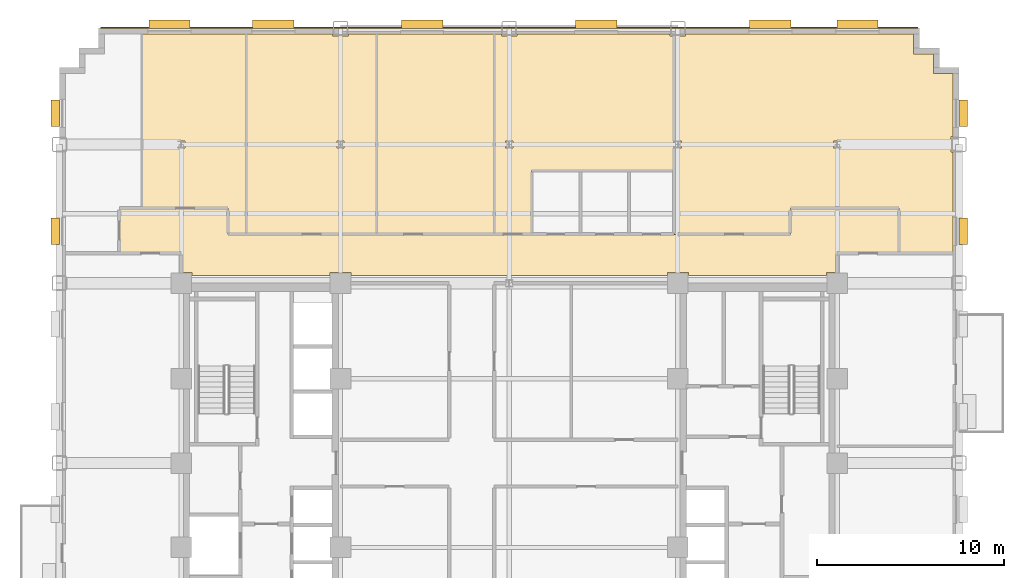
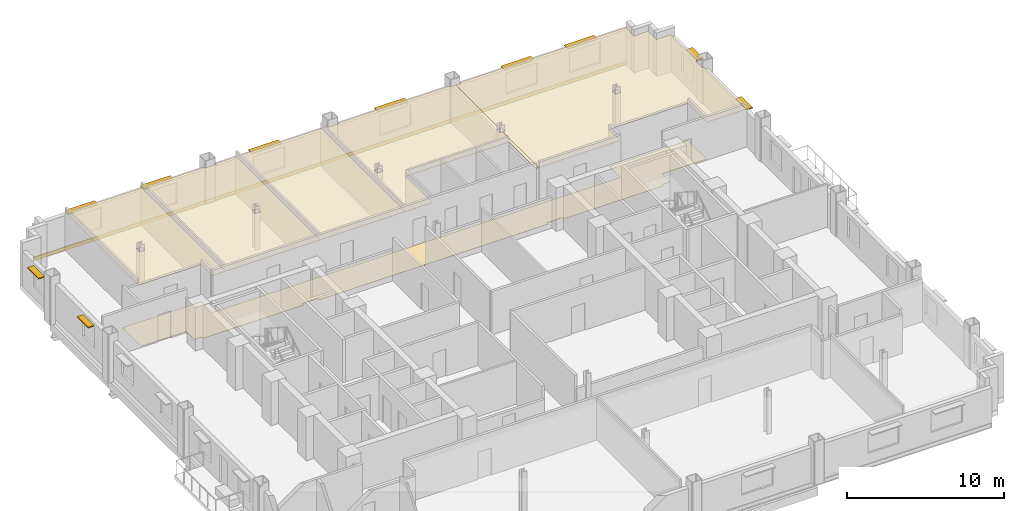
# One storey, part 15 of 15: 10 shading devices, 7 coverings.
"""IFC4 building model written with IfcOpenShell, lengths in metres."""

from ifc_helpers import new_model, si_unit, direction, frame, origin, origin_2d, place, context, subcontext, project, spatial, polyline, rectangle, outline, extrude, source, transform, mapped, material, layer, layer_set, type_object, type_shapes, element, save


model = new_model("IFC4")

# Units and contexts
model_context = context("Model", 3, precision=1e-05, world=origin(), true_north=direction((0.0, 1.0)))
body_context = subcontext(model_context, "Body", "Model", "MODEL_VIEW")
ifc_project = project(units=[si_unit("LENGTHUNIT", "METRE"), si_unit("AREAUNIT", "SQUARE_METRE"), si_unit("VOLUMEUNIT", "CUBIC_METRE"), si_unit("PLANEANGLEUNIT", "RADIAN"), si_unit("MASSUNIT", "GRAM", prefix="KILO")], contexts=[model_context])

# Site, building, storey
site_placement = place(None, origin())
site = spatial("IfcSite", under=ifc_project, at=site_placement, CompositionType="ELEMENT")
building_placement = place(site_placement, origin())
building = spatial("IfcBuilding", under=site, at=building_placement, Name="Nuvemarco Arch Tower", CompositionType="ELEMENT")
storey_placement = place(building_placement, frame((0.0, 0.0, 86.0)))
storey = spatial("IfcBuildingStorey", under=building, at=storey_placement, Name="L22", CompositionType="ELEMENT", Elevation=86.0)

# Coverings
ifc_material_1 = material(Name="Mineral acoustic ceiling tile")
ifc_layer_1 = layer(ifc_material_1, 0.0400390625, Name="COV-ACOUSTIC-CLG")
ifc_layer_set_1 = layer_set([ifc_layer_1], Name="Mineral acoustic ceiling tile")
covering_type_1 = type_object("IfcCoveringType", Name="COV-ACOUSTIC-CLG", PredefinedType="CEILING", material=ifc_layer_set_1)
covering_1_placement = place(storey_placement, frame((0.0, 0.0, 2.85009765625)))
element("IfcCovering", 1, at=covering_1_placement, inside=storey, type_object=covering_type_1, Name="L22 suspended acoustic ceiling 3", PredefinedType="CEILING", context=body_context, shape_type="SweptSolid", body=[
    extrude(outline(polyline([(23.679931640625, 20.780029296875), (23.679931640625, 17.4150390625), (23.5849609375, 17.4150390625), (23.5849609375, 16.5849609375), (23.679931640625, 16.5849609375), (23.679931640625, 11.199951171875), (20.800048828125, 11.199951171875), (20.800048828125, 13.60009765625), (15.0, 13.60009765625), (15.0, 12.199951171875), (9.0, 12.199951171875), (9.0, 16.804931640625), (9.195068359375, 16.804931640625), (9.195068359375, 17.195068359375), (9.0, 17.195068359375), (9.0, 22.784912109375), (9.4150390625, 22.784912109375), (9.4150390625, 22.8798828125), (21.580078125, 22.8798828125), (21.580078125, 21.830078125), (22.6298828125, 21.830078125), (22.6298828125, 20.780029296875), (23.679931640625, 20.780029296875)]), holes=[polyline([(17.695068359375, 16.804931640625), (17.695068359375, 17.195068359375), (17.304931640625, 17.195068359375), (17.304931640625, 16.804931640625), (17.695068359375, 16.804931640625)])]), origin(), (0.0, 0.0, 1.0), 0.039794921875),
])
covering_2_placement = place(storey_placement, frame((0.0, 0.0, 2.85009765625)))
element("IfcCovering", 2, at=covering_2_placement, inside=storey, type_object=covering_type_1, Name="L22 suspended acoustic ceiling 5", PredefinedType="CEILING", context=body_context, shape_type="SweptSolid", body=[
    extrude(outline(polyline([(1.199951171875, 15.60009765625), (1.199951171875, 12.199951171875), (-0.800048828125, 12.199951171875), (-0.800048828125, 22.8798828125), (-0.4150390625, 22.8798828125), (-0.4150390625, 22.784912109375), (0.4150390625, 22.784912109375), (0.4150390625, 22.8798828125), (8.5849609375, 22.8798828125), (8.5849609375, 22.784912109375), (9.0, 22.784912109375), (9.0, 17.195068359375), (8.804931640625, 17.195068359375), (8.804931640625, 16.804931640625), (9.0, 16.804931640625), (9.0, 12.199951171875), (8.800048828125, 12.199951171875), (8.800048828125, 15.60009765625), (6.39990234375, 15.60009765625), (3.800048828125, 15.60009765625), (1.199951171875, 15.60009765625)]), holes=[polyline([(0.195068359375, 16.804931640625), (0.195068359375, 17.195068359375), (-0.195068359375, 17.195068359375), (-0.195068359375, 16.804931640625), (0.195068359375, 16.804931640625)])]), origin(), (0.0, 0.0, 1.0), 0.039794921875),
])
covering_3_placement = place(storey_placement, frame((0.0, 0.0, 2.85009765625)))
element("IfcCovering", 3, at=covering_3_placement, inside=storey, type_object=covering_type_1, Name="L22 suspended acoustic ceiling 6", PredefinedType="CEILING", context=body_context, shape_type="SweptSolid", body=[
    extrude(outline(polyline([(-7.06005859375, 12.199951171875), (-14.02001953125, 12.199951171875), (-14.02001953125, 22.8798828125), (-9.4150390625, 22.8798828125), (-9.4150390625, 22.784912109375), (-8.5849609375, 22.784912109375), (-8.5849609375, 22.8798828125), (-7.06005859375, 22.8798828125), (-7.06005859375, 12.199951171875)]), holes=[polyline([(-8.804931640625, 16.804931640625), (-8.804931640625, 17.195068359375), (-9.195068359375, 17.195068359375), (-9.195068359375, 16.804931640625), (-8.804931640625, 16.804931640625)])]), origin(), (0.0, 0.0, 1.0), 0.039794921875),
])
covering_4_placement = place(storey_placement, frame((0.0, 0.0, 2.85009765625)))
element("IfcCovering", 4, at=covering_4_placement, inside=storey, type_object=covering_type_1, Name="L22 suspended acoustic ceiling 8", PredefinedType="CEILING", context=body_context, shape_type="SweptSolid", body=[
    extrude(outline(polyline([(-0.800048828125, 12.199951171875), (-3.199951171875, 12.199951171875), (-7.06005859375, 12.199951171875), (-7.06005859375, 22.8798828125), (-0.800048828125, 22.8798828125), (-0.800048828125, 12.199951171875)])), origin(), (0.0, 0.0, 1.0), 0.039794921875),
])
covering_5_placement = place(storey_placement, frame((0.0, 0.0, 2.85009765625)))
element("IfcCovering", 5, at=covering_5_placement, inside=storey, type_object=covering_type_1, Name="L22 suspended acoustic ceiling 9", PredefinedType="CEILING", context=body_context, shape_type="SweptSolid", body=[
    extrude(outline(polyline([(-14.02001953125, 22.8798828125), (-14.02001953125, 12.199951171875), (-15.0, 12.199951171875), (-15.0, 13.60009765625), (-19.590087890625, 13.60009765625), (-19.590087890625, 22.8798828125), (-14.02001953125, 22.8798828125)]), holes=[polyline([(-17.304931640625, 16.804931640625), (-17.304931640625, 17.195068359375), (-17.695068359375, 17.195068359375), (-17.695068359375, 16.804931640625), (-17.304931640625, 16.804931640625)])]), origin(), (0.0, 0.0, 1.0), 0.039794921875),
])
ifc_material_2 = material(Name="Polished granite terrazzostone flooring", Category="masonry")
ifc_layer_2 = layer(ifc_material_2, 0.02001953125, Name="COV-LOBBY-FLR")
ifc_layer_set_2 = layer_set([ifc_layer_2], Name="Polished granite terrazzostone flooring")
covering_type_2 = type_object("IfcCoveringType", Name="COV-LOBBY-FLR", PredefinedType="FLOORING", material=ifc_layer_set_2)
covering_6_placement = place(storey_placement, origin())
element("IfcCovering", 6, at=covering_6_placement, inside=storey, type_object=covering_type_2, Name="L22 polished terrazzo lobby flooring", PredefinedType="FLOORING", context=body_context, shape_type="SweptSolid", body=[
    extrude(outline(polyline([(-8.43505859375, 10.1650390625), (-9.56494140625, 10.1650390625), (-9.56494140625, 10.0), (-16.93505859375, 10.0), (-16.93505859375, 10.1650390625), (-17.5, 10.1650390625), (-17.5, 11.199951171875), (-20.800048828125, 11.199951171875), (-20.800048828125, 13.60009765625), (-15.0, 13.60009765625), (-15.0, 12.199951171875), (-3.199951171875, 12.199951171875), (-0.800048828125, 12.199951171875), (15.0, 12.199951171875), (15.0, 13.60009765625), (20.800048828125, 13.60009765625), (20.800048828125, 11.199951171875), (17.5, 11.199951171875), (17.5, 10.1650390625), (16.93505859375, 10.1650390625), (16.93505859375, 10.0), (9.56494140625, 10.0), (9.56494140625, 10.1650390625), (8.43505859375, 10.1650390625), (8.43505859375, 10.0), (-8.43505859375, 10.0), (-8.43505859375, 10.1650390625)])), origin(), (0.0, 0.0, 1.0), 0.02001953125),
])

# Shading devices
ifc_material_3 = material(Name="Anodised aluminium 6063-T6", Category="aluminium")
shading_device_type_1 = type_object("IfcShadingDeviceType", Name="SHD-BRISE-SOLEIL", PredefinedType="USERDEFINED", material=ifc_material_3)
shared_shape_1 = source(origin(), body_context, "Body", "SweptSolid", [
    extrude(rectangle(XDim=2.199951171875, YDim=0.449951171875, at=origin_2d()), origin(), (0.0, 0.0, 1.0), 0.080078125),
])
type_shapes(shading_device_type_1, [shared_shape_1])
for number, where, z_axis, x_axis, name in (
    (7, (-18.127685546875, 23.4150390625, 2.425048828125), (0.0, 0.0, 1.0), (1.0, 0.0, 0.0), "L22 horizontal brise-soleil sunshade"),
    (8, (-12.583251953125, 23.4150390625, 2.425048828125), (0.0, 0.0, 1.0), (1.0, 0.0, 0.0), "L22 horizontal brise-soleil sunshade"),
    (9, (-4.644287109375, 23.4150390625, 2.425048828125), (0.0, 0.0, 1.0), (1.0, 0.0, 0.0), "L22 horizontal brise-soleil sunshade"),
    (10, (4.644287109375, 23.4150390625, 2.425048828125), (0.0, 0.0, 1.0), (1.0, 0.0, 0.0), "L22 horizontal brise-soleil sunshade"),
    (11, (13.933349609375, 23.4150390625, 2.425048828125), (0.0, 0.0, 1.0), (1.0, 0.0, 0.0), "L22 horizontal brise-soleil sunshade"),
    (12, (18.577880859375, 23.4150390625, 2.425048828125), (0.0, 0.0, 1.0), (1.0, 0.0, 0.0), "L22 horizontal brise-soleil sunshade"),
):
    element("IfcShadingDevice", number, at=place(storey_placement, frame(where, z_axis=z_axis, x_axis=x_axis)), inside=storey, type_object=shading_device_type_1, Name=name, ObjectType="SUNSHADE", PredefinedType="USERDEFINED", context=body_context, shape_type="MappedRepresentation", body=[
        mapped(shared_shape_1, transform((0.0, 0.0, 0.0), scale=1.0)),
    ])
shading_device_type_2 = type_object("IfcShadingDeviceType", Name="SHD-BRISE-NARROW", PredefinedType="USERDEFINED", material=ifc_material_3)
shared_shape_2 = source(origin(), body_context, "Body", "SweptSolid", [
    extrude(rectangle(XDim=1.39990234375, YDim=0.449951171875, at=origin_2d()), origin(), (0.0, 0.0, 1.0), 0.080078125),
])
type_shapes(shading_device_type_2, [shared_shape_2])
for number, where, z_axis, x_axis, name in (
    (13, (24.215087890625, 12.364990234375, 2.405029296875), (0.0, 0.0, 1.0), (0.0, 1.0, 0.0), "L22 horizontal brise-soleil sunshade"),
    (14, (24.215087890625, 18.660888671875, 2.405029296875), (0.0, 0.0, 1.0), (0.0, 1.0, 0.0), "L22 horizontal brise-soleil sunshade"),
    (15, (-24.215087890625, 12.364990234375, 2.405029296875), (0.0, 0.0, 1.0), (0.0, 1.0, 0.0), "L22 horizontal brise-soleil sunshade"),
    (16, (-24.215087890625, 18.660888671875, 2.405029296875), (0.0, 0.0, 1.0), (0.0, 1.0, 0.0), "L22 horizontal brise-soleil sunshade"),
):
    element("IfcShadingDevice", number, at=place(storey_placement, frame(where, z_axis=z_axis, x_axis=x_axis)), inside=storey, type_object=shading_device_type_2, Name=name, ObjectType="SUNSHADE", PredefinedType="USERDEFINED", context=body_context, shape_type="MappedRepresentation", body=[
        mapped(shared_shape_2, transform((0.0, 0.0, 0.0), scale=1.0)),
    ])

# Covering
ifc_material_4 = material(Name="Precast concrete C45/55", Category="concrete")
ifc_layer_3 = layer(ifc_material_4, 0.06005859375, Name="COV-SPANDREL-CLAD")
ifc_layer_set_3 = layer_set([ifc_layer_3], Name="Precast concrete C45/55")
covering_type_3 = type_object("IfcCoveringType", Name="COV-SPANDREL-CLAD", PredefinedType="CLADDING", material=ifc_layer_set_3)
shared_shape_3 = source(origin(), body_context, "Body", "SweptSolid", [
    extrude(rectangle(XDim=43.60009765625, YDim=0.06005859375, at=origin_2d()), origin(), (0.0, 0.0, 1.0), 0.280029296875),
])
type_shapes(covering_type_3, [shared_shape_3])
covering_7_placement = place(storey_placement, frame((0.0, 23.22900390625, -0.27978515625), z_axis=(0.0, 0.0, 1.0), x_axis=(1.0, 0.0, 0.0)))
element("IfcCovering", 17, at=covering_7_placement, inside=storey, type_object=covering_type_3, Name="L22 precast spandrel edge cladding north", PredefinedType="CLADDING", context=body_context, shape_type="MappedRepresentation", body=[
    mapped(shared_shape_3, transform((0.0, 0.0, 0.0), scale=1.0)),
])

save(model, "model.ifc")
